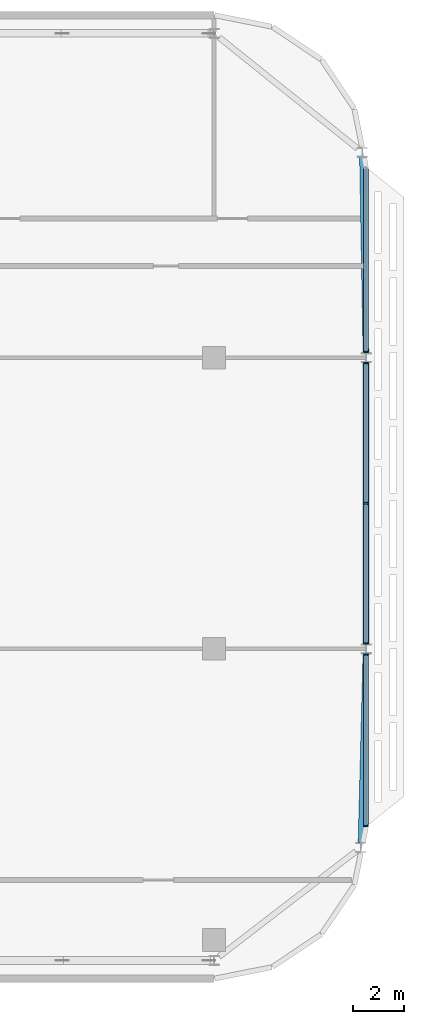
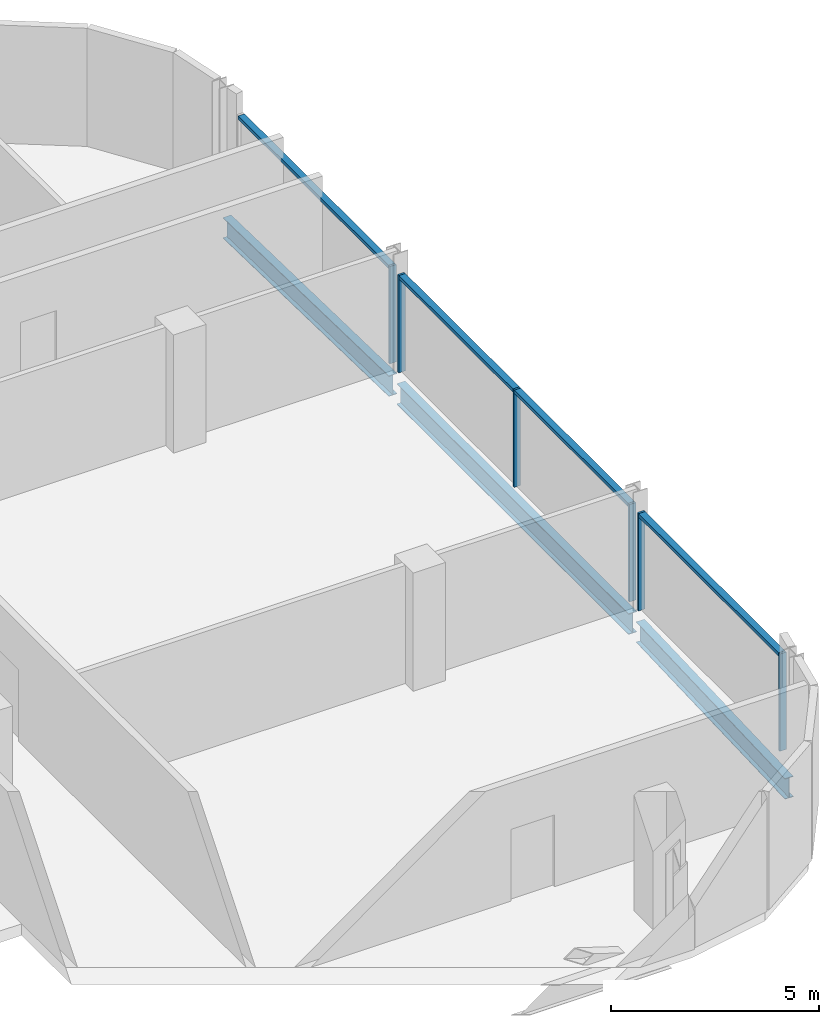
# One storey, part 10 of 29: 10 members, 3 beams, 3 elements without a shape of their own.
"""IFC4 building model written with IfcOpenShell, lengths in metres."""

from ifc_helpers import new_model, si_unit, direction, frame, origin, origin_2d, place, context, subcontext, project, spatial, rectangle, i_section, extrude, material, material_profile, profile_set, type_object, element, aggregate, save


model = new_model("IFC4")

# Units and contexts
model_context = context("Model", 3, precision=1e-05, world=origin(), true_north=direction((0.0, 1.0)))
body_context = subcontext(model_context, "Body", "Model", "MODEL_VIEW")
ifc_project = project(units=[si_unit("LENGTHUNIT", "METRE"), si_unit("AREAUNIT", "SQUARE_METRE"), si_unit("VOLUMEUNIT", "CUBIC_METRE"), si_unit("PLANEANGLEUNIT", "RADIAN"), si_unit("MASSUNIT", "GRAM", prefix="KILO")], contexts=[model_context])

# Site, building, storey
site_placement = place(None, origin())
site = spatial("IfcSite", under=ifc_project, at=site_placement, CompositionType="ELEMENT")
building_placement = place(site_placement, origin())
building = spatial("IfcBuilding", under=site, at=building_placement, Name="Mahtab Terrace Research Tower", CompositionType="ELEMENT")
storey_placement = place(building_placement, frame((0.0, 0.0, 274.699951171875)))
storey = spatial("IfcBuildingStorey", under=building, at=storey_placement, Name="L67", CompositionType="ELEMENT", Elevation=274.699951171875)

# Curtain wall, members
ifc_material_1 = material(Name="Office ribbon curtain wall")
curtain_wall_type = type_object("IfcCurtainWallType", Name="Office ribbon curtain wall", PredefinedType="NOTDEFINED", material=ifc_material_1)
curtain_wall_1_placement = place(storey_placement, origin())
curtain_wall_1 = element("IfcCurtainWall", 1, at=curtain_wall_1_placement, inside=storey, type_object=curtain_wall_type, Name="EN.L67.18.22", PredefinedType="NOTDEFINED")
ifc_material_2 = material(Name="Natural anodised aluminium", Category="aluminium")
ifc_material_profile_1 = material_profile(ifc_material_2, rectangle(XDim=0.179931640625, YDim=0.06005859375, at=origin_2d()), Name="MULLION 60x180")
ifc_profile_set_1 = profile_set([ifc_material_profile_1], Name="Natural anodised aluminium")
member_type_1 = type_object("IfcMemberType", Name="Office ribbon curtain wall mullion", PredefinedType="MULLION", material=ifc_profile_set_1)
member_1_placement = place(storey_placement, frame((48.0, -6.9990234375, 0.0), z_axis=(0.0, 0.0, 1.0), x_axis=(-1.0, 0.0, 0.0)))
member_1 = element("IfcMember", 2, at=member_1_placement, type_object=member_type_1, Name="CWO-8 mullion 1", PredefinedType="MULLION", context=body_context, shape_type="SweptSolid", body=[
    extrude(rectangle(XDim=0.179931640625, YDim=0.06005859375, at=origin_2d()), origin(), (0.0, 0.0, 1.0), 2.85302734375),
])
member_2_placement = place(storey_placement, frame((48.0, -0.218017578125, 0.0), z_axis=(0.0, 0.0, 1.0), x_axis=(-1.0, 0.0, 0.0)))
member_2 = element("IfcMember", 3, at=member_2_placement, type_object=member_type_1, Name="CWO-8 mullion 2", PredefinedType="MULLION", context=body_context, shape_type="SweptSolid", body=[
    extrude(rectangle(XDim=0.179931640625, YDim=0.06005859375, at=origin_2d()), origin(), (0.0, 0.0, 1.0), 2.85302734375),
])

curtain_wall_2_placement = place(storey_placement, origin())
curtain_wall_2 = element("IfcCurtainWall", 4, at=curtain_wall_2_placement, inside=storey, type_object=curtain_wall_type, Name="EN.L67.18.23", PredefinedType="NOTDEFINED")
member_3_placement = place(storey_placement, frame((48.0, 0.218017578125, 0.0), z_axis=(0.0, 0.0, 1.0), x_axis=(-1.0, 0.0, 0.0)))
member_3 = element("IfcMember", 5, at=member_3_placement, type_object=member_type_1, Name="CWO-8 mullion 1", PredefinedType="MULLION", context=body_context, shape_type="SweptSolid", body=[
    extrude(rectangle(XDim=0.179931640625, YDim=0.06005859375, at=origin_2d()), origin(), (0.0, 0.0, 1.0), 2.85302734375),
])
member_4_placement = place(storey_placement, frame((48.0, 5.75, 0.0), z_axis=(0.0, 0.0, 1.0), x_axis=(-1.0, 0.0, 0.0)))
member_4 = element("IfcMember", 6, at=member_4_placement, type_object=member_type_1, Name="CWO-8 mullion 2", PredefinedType="MULLION", context=body_context, shape_type="SweptSolid", body=[
    extrude(rectangle(XDim=0.179931640625, YDim=0.06005859375, at=origin_2d()), origin(), (0.0, 0.0, 1.0), 2.85302734375),
])
member_5_placement = place(storey_placement, frame((48.0, 11.281982421875, 0.0), z_axis=(0.0, 0.0, 1.0), x_axis=(-1.0, 0.0, 0.0)))
member_5 = element("IfcMember", 7, at=member_5_placement, type_object=member_type_1, Name="CWO-8 mullion 3", PredefinedType="MULLION", context=body_context, shape_type="SweptSolid", body=[
    extrude(rectangle(XDim=0.179931640625, YDim=0.06005859375, at=origin_2d()), origin(), (0.0, 0.0, 1.0), 2.85302734375),
])

# Curtain wall, member
curtain_wall_3_placement = place(storey_placement, origin())
curtain_wall_3 = element("IfcCurtainWall", 8, at=curtain_wall_3_placement, inside=storey, type_object=curtain_wall_type, Name="EN.L67.18.24", PredefinedType="NOTDEFINED")
member_6_placement = place(storey_placement, frame((48.0, 11.718017578125, 0.0), z_axis=(0.0, 0.0, 1.0), x_axis=(-1.0, 0.0, 0.0)))
member_6 = element("IfcMember", 9, at=member_6_placement, type_object=member_type_1, Name="CWO-8 mullion 1", PredefinedType="MULLION", context=body_context, shape_type="SweptSolid", body=[
    extrude(rectangle(XDim=0.179931640625, YDim=0.06005859375, at=origin_2d()), origin(), (0.0, 0.0, 1.0), 2.85302734375),
])

# Member
ifc_material_profile_2 = material_profile(ifc_material_2, rectangle(XDim=0.179931640625, YDim=0.10009765625, at=origin_2d()), Name="TRANSOM 100x180")
ifc_profile_set_2 = profile_set([ifc_material_profile_2], Name="Natural anodised aluminium")
member_type_2 = type_object("IfcMemberType", Name="Office ribbon curtain wall transom", PredefinedType="USERDEFINED", material=ifc_profile_set_2)
member_7_placement = place(storey_placement, frame((48.0, -6.968994140625, 2.802978515625), z_axis=(0.0, 1.0, 0.0), x_axis=(-1.0, 0.0, 0.0)))
member_7 = element("IfcMember", 10, at=member_7_placement, type_object=member_type_2, Name="CWO-8 transom 1", ObjectType="TRANSOM", PredefinedType="USERDEFINED", context=body_context, shape_type="SweptSolid", body=[
    extrude(rectangle(XDim=0.179931640625, YDim=0.10009765625, at=origin_2d()), origin(), (0.0, 0.0, 1.0), 6.720947265625),
])

aggregate(curtain_wall_1, [member_1, member_2, member_7])

member_8_placement = place(storey_placement, frame((48.0, 0.248046875, 2.802978515625), z_axis=(0.0, 1.0, 0.0), x_axis=(-1.0, 0.0, 0.0)))
member_8 = element("IfcMember", 11, at=member_8_placement, type_object=member_type_2, Name="CWO-8 transom 1", ObjectType="TRANSOM", PredefinedType="USERDEFINED", context=body_context, shape_type="SweptSolid", body=[
    extrude(rectangle(XDim=0.179931640625, YDim=0.10009765625, at=origin_2d()), origin(), (0.0, 0.0, 1.0), 5.471923828125),
])

member_9_placement = place(storey_placement, frame((48.0, 5.780029296875, 2.802978515625), z_axis=(0.0, 1.0, 0.0), x_axis=(-1.0, 0.0, 0.0)))
member_9 = element("IfcMember", 12, at=member_9_placement, type_object=member_type_2, Name="CWO-8 transom 2", ObjectType="TRANSOM", PredefinedType="USERDEFINED", context=body_context, shape_type="SweptSolid", body=[
    extrude(rectangle(XDim=0.179931640625, YDim=0.10009765625, at=origin_2d()), origin(), (0.0, 0.0, 1.0), 5.471923828125),
])

aggregate(curtain_wall_2, [member_3, member_4, member_5, member_8, member_9])

member_10_placement = place(storey_placement, frame((48.0, 11.748046875, 2.802978515625), z_axis=(0.0, 1.0, 0.0), x_axis=(-1.0, 0.0, 0.0)))
member_10 = element("IfcMember", 13, at=member_10_placement, type_object=member_type_2, Name="CWO-8 transom 1", ObjectType="TRANSOM", PredefinedType="USERDEFINED", context=body_context, shape_type="SweptSolid", body=[
    extrude(rectangle(XDim=0.179931640625, YDim=0.10009765625, at=origin_2d()), origin(), (0.0, 0.0, 1.0), 7.220947265625),
])

aggregate(curtain_wall_3, [member_6, member_10])

# Beams
ifc_material_3 = material(Name="Steel ASTM A992 Gr 50", Category="steel")
ifc_material_profile_3 = material_profile(ifc_material_3, i_section(OverallWidth=0.228271484375, OverallDepth=0.607177734375, WebThickness=0.01123046875, FlangeThickness=0.017333984375, at=origin_2d()), Name="W24X76")
ifc_profile_set_3 = profile_set([ifc_material_profile_3], Name="Steel ASTM A992 Gr 50")
beam_type = type_object("IfcBeamType", Name="W24x76 beam BS2476", PredefinedType="BEAM", material=ifc_profile_set_3)
beam_1_placement = place(storey_placement, frame((47.802734375, -7.66015625, -0.6435546875), z_axis=(0.025738056343, 0.999668721355, 0.0), x_axis=(-0.999668721355, 0.025738056343, 0.0)))
element("IfcBeam", 14, at=beam_1_placement, inside=storey, type_object=beam_type, Name="Spandrel beam L67 22", PredefinedType="BEAM", context=body_context, shape_type="SweptSolid", body=[
    extrude(i_section(OverallWidth=0.228271484375, OverallDepth=0.607177734375, WebThickness=0.01123046875, FlangeThickness=0.017333984375, at=origin_2d()), origin(), (0.0, 0.0, 1.0), 7.474609375),
])
beam_2_placement = place(storey_placement, frame((48.0, 0.18798828125, -0.6435546875), z_axis=(0.0, 1.0, 0.0), x_axis=(-1.0, 0.0, 0.0)))
element("IfcBeam", 15, at=beam_2_placement, inside=storey, type_object=beam_type, Name="Spandrel beam L67 23", PredefinedType="BEAM", context=body_context, shape_type="SweptSolid", body=[
    extrude(i_section(OverallWidth=0.228271484375, OverallDepth=0.607177734375, WebThickness=0.01123046875, FlangeThickness=0.017333984375, at=origin_2d()), origin(), (0.0, 0.0, 1.0), 11.1240234375),
])
beam_3_placement = place(storey_placement, frame((47.99658203125, 11.68798828125, -0.6435546875), z_axis=(-0.017623139265, 0.999844700422, 0.0), x_axis=(-0.999844700422, -0.017623139265, 0.0)))
element("IfcBeam", 16, at=beam_3_placement, inside=storey, type_object=beam_type, Name="Spandrel beam L67 24", PredefinedType="BEAM", context=body_context, shape_type="SweptSolid", body=[
    extrude(i_section(OverallWidth=0.228271484375, OverallDepth=0.607177734375, WebThickness=0.01123046875, FlangeThickness=0.017333984375, at=origin_2d()), origin(), (0.0, 0.0, 1.0), 7.730224609375),
])

save(model, "model.ifc")
